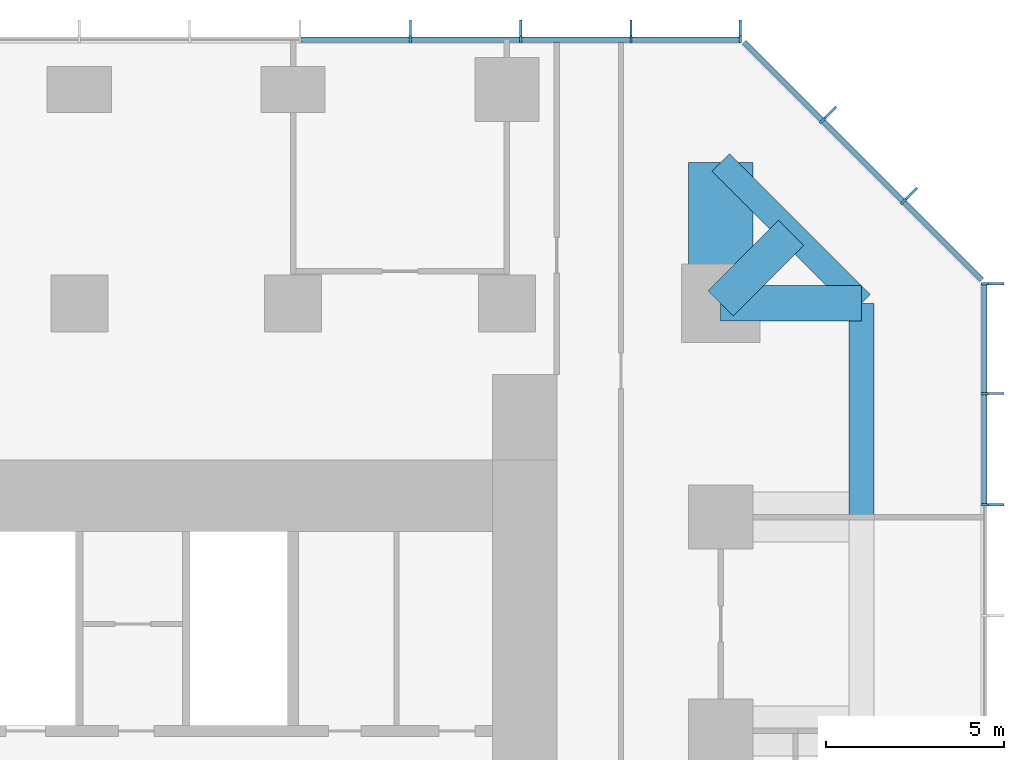
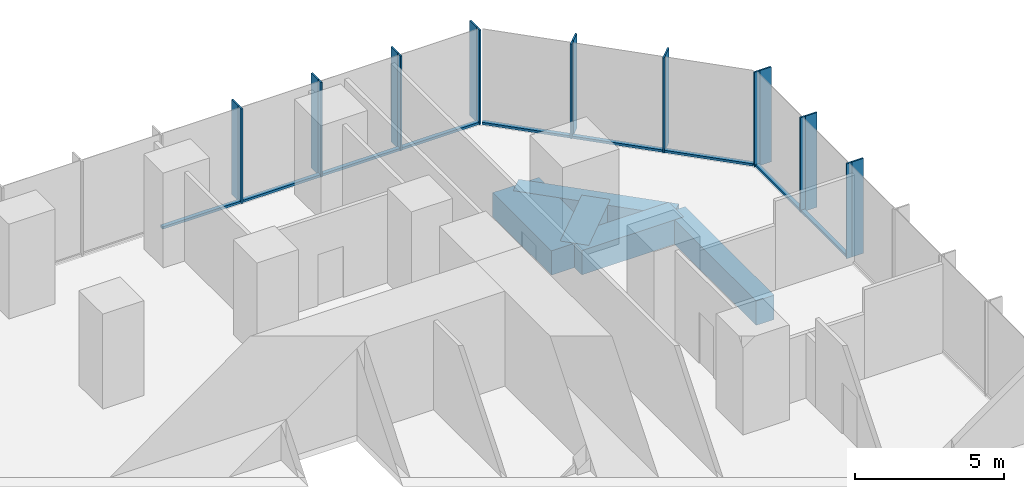
# One storey, part 6 of 11: 27 members, 5 beams, 3 elements without a shape of their own.
"""IFC4 building model written with IfcOpenShell, lengths in metres."""

from ifc_helpers import new_model, si_unit, direction, frame, origin, origin_2d, place, context, subcontext, project, spatial, rectangle, extrude, material, layer, layer_set, material_profile, profile_set, type_object, element, aggregate, save


model = new_model("IFC4")

# Units and contexts
model_context = context("Model", 3, precision=1e-05, world=origin(), true_north=direction((0.0, 1.0)))
body_context = subcontext(model_context, "Body", "Model", "MODEL_VIEW")
ifc_project = project(units=[si_unit("LENGTHUNIT", "METRE"), si_unit("AREAUNIT", "SQUARE_METRE"), si_unit("VOLUMEUNIT", "CUBIC_METRE"), si_unit("PLANEANGLEUNIT", "RADIAN"), si_unit("MASSUNIT", "GRAM", prefix="KILO")], contexts=[model_context])

# Site, building, storey
site_placement = place(None, origin())
site = spatial("IfcSite", under=ifc_project, at=site_placement, CompositionType="ELEMENT")
building_placement = place(site_placement, origin())
building = spatial("IfcBuilding", under=site, at=building_placement, Name="Highveld Stack Headquarters", CompositionType="ELEMENT")
storey_placement = place(building_placement, frame((0.0, 0.0, 152.300048828125)))
storey = spatial("IfcBuildingStorey", under=building, at=storey_placement, Name="L37", CompositionType="ELEMENT", Elevation=152.300048828125)

# Beams
ifc_material_1 = material(Name="Concrete C60/75", Category="concrete")
ifc_material_profile_1 = material_profile(ifc_material_1, rectangle(XDim=1.0, YDim=1.0, at=origin_2d()), Name="RC 1000x1000")
ifc_profile_set_1 = profile_set([ifc_material_profile_1], Name="Concrete C60/75")
beam_type_1 = type_object("IfcBeamType", Name="CANTILEVER RIB RC 1000x1000", PredefinedType="USERDEFINED", material=ifc_profile_set_1)
beam_1_placement = place(storey_placement, frame((24.0, 18.0, -0.75), z_axis=(1.0, 0.0, 0.0), x_axis=(0.0, 1.0, 0.0)))
element("IfcBeam", 1, at=beam_1_placement, inside=storey, type_object=beam_type_1, Name="Cantilever rib 10/H L37", ObjectType="CANTILEVER RIB", PredefinedType="USERDEFINED", context=body_context, shape_type="SweptSolid", body=[
    extrude(rectangle(XDim=1.0, YDim=1.0, at=origin_2d()), origin(), (0.0, 0.0, 1.0), 3.949951171875),
])
beam_2_placement = place(storey_placement, frame((24.0, 18.0, -0.75), z_axis=(0.707106781187, 0.707106781187, 0.0), x_axis=(-0.707106781187, 0.707106781187, 0.0)))
element("IfcBeam", 2, at=beam_2_placement, inside=storey, type_object=beam_type_1, Name="Cantilever rib 10/H L37", ObjectType="CANTILEVER RIB", PredefinedType="USERDEFINED", context=body_context, shape_type="SweptSolid", body=[
    extrude(rectangle(XDim=1.0, YDim=1.0, at=origin_2d()), origin(), (0.0, 0.0, 1.0), 2.793212890625),
])
ifc_material_2 = material(Name="Concrete C60/75", Category="concrete")
ifc_material_profile_2 = material_profile(ifc_material_2, rectangle(XDim=1.800048828125, YDim=1.0, at=origin_2d()), Name="RC 1800x1000")
ifc_profile_set_2 = profile_set([ifc_material_profile_2], Name="Concrete C60/75")
beam_type_2 = type_object("IfcBeamType", Name="CANTILEVER RIB RC 1800x1000", PredefinedType="USERDEFINED", material=ifc_profile_set_2)
beam_3_placement = place(storey_placement, frame((24.0, 18.0, -0.75), z_axis=(0.0, 1.0, 0.0), x_axis=(-1.0, 0.0, 0.0)))
element("IfcBeam", 3, at=beam_3_placement, inside=storey, type_object=beam_type_2, Name="Cantilever rib 10/H L37", ObjectType="CANTILEVER RIB", PredefinedType="USERDEFINED", context=body_context, shape_type="SweptSolid", body=[
    extrude(rectangle(XDim=1.800048828125, YDim=1.0, at=origin_2d()), origin(), (0.0, 0.0, 1.0), 3.949951171875),
])

# Curtain wall, members
ifc_material_3 = material(Name="Aluminium bronze anodised", Category="aluminium")
ifc_layer_1 = layer(ifc_material_3, 0.199951171875)
ifc_layer_set_1 = layer_set([ifc_layer_1], Name="Aluminium bronze anodised")
curtain_wall_type_1 = type_object("IfcCurtainWallType", Name="CW1 TOWER UNITISED CURTAIN WALL", PredefinedType="NOTDEFINED", material=ifc_layer_set_1)
curtain_wall_1_placement = place(storey_placement, origin())
curtain_wall_1 = element("IfcCurtainWall", 4, at=curtain_wall_1_placement, inside=storey, type_object=curtain_wall_type_1, Name="Curtain wall CW1 L37 E", PredefinedType="NOTDEFINED")
ifc_material_4 = material(Name="Aluminium bronze anodised", Category="aluminium")
ifc_material_profile_3 = material_profile(ifc_material_4, rectangle(XDim=0.449951171875, YDim=0.06005859375, at=origin_2d()), Name="FIN 450x60")
ifc_profile_set_3 = profile_set([ifc_material_profile_3], Name="Aluminium bronze anodised")
member_type_1 = type_object("IfcMemberType", Name="CW1 BRONZE FIN 450x60", PredefinedType="USERDEFINED", material=ifc_profile_set_3)
member_1_placement = place(storey_placement, frame((31.72509765625, 12.347900390625, 0.0), z_axis=(0.0, 0.0, 1.0), x_axis=(-1.0, 0.0, 0.0)))
member_1 = element("IfcMember", 5, at=member_1_placement, type_object=member_type_1, Name="CW1 fin L37 9", ObjectType="FIN", PredefinedType="USERDEFINED", context=body_context, shape_type="SweptSolid", body=[
    extrude(rectangle(XDim=0.449951171875, YDim=0.06005859375, at=origin_2d()), origin(), (0.0, 0.0, 1.0), 3.89990234375),
])
member_2_placement = place(storey_placement, frame((31.72509765625, 15.4638671875, 0.0), z_axis=(0.0, 0.0, 1.0), x_axis=(-1.0, 0.0, 0.0)))
member_2 = element("IfcMember", 6, at=member_2_placement, type_object=member_type_1, Name="CW1 fin L37 10", ObjectType="FIN", PredefinedType="USERDEFINED", context=body_context, shape_type="SweptSolid", body=[
    extrude(rectangle(XDim=0.449951171875, YDim=0.06005859375, at=origin_2d()), origin(), (0.0, 0.0, 1.0), 3.89990234375),
])
member_3_placement = place(storey_placement, frame((31.72509765625, 18.54736328125, 0.0), z_axis=(0.0, 0.0, 1.0), x_axis=(-1.0, 0.0, 0.0)))
member_3 = element("IfcMember", 7, at=member_3_placement, type_object=member_type_1, Name="CW1 fin L37 11", ObjectType="FIN", PredefinedType="USERDEFINED", context=body_context, shape_type="SweptSolid", body=[
    extrude(rectangle(XDim=0.449951171875, YDim=0.06005859375, at=origin_2d()), origin(), (0.0, 0.0, 1.0), 3.89990234375),
])

curtain_wall_2_placement = place(storey_placement, origin())
curtain_wall_2 = element("IfcCurtainWall", 8, at=curtain_wall_2_placement, inside=storey, type_object=curtain_wall_type_1, Name="Curtain wall CW1 L37 N", PredefinedType="NOTDEFINED")
member_4_placement = place(storey_placement, frame((24.54736328125, 25.72509765625, 0.0), z_axis=(0.0, 0.0, 1.0), x_axis=(0.0, -1.0, 0.0)))
member_4 = element("IfcMember", 9, at=member_4_placement, type_object=member_type_1, Name="CW1 fin L37 1", ObjectType="FIN", PredefinedType="USERDEFINED", context=body_context, shape_type="SweptSolid", body=[
    extrude(rectangle(XDim=0.449951171875, YDim=0.06005859375, at=origin_2d()), origin(), (0.0, 0.0, 1.0), 3.89990234375),
])
member_5_placement = place(storey_placement, frame((21.483154296875, 25.72509765625, 0.0), z_axis=(0.0, 0.0, 1.0), x_axis=(0.0, -1.0, 0.0)))
member_5 = element("IfcMember", 10, at=member_5_placement, type_object=member_type_1, Name="CW1 fin L37 2", ObjectType="FIN", PredefinedType="USERDEFINED", context=body_context, shape_type="SweptSolid", body=[
    extrude(rectangle(XDim=0.449951171875, YDim=0.06005859375, at=origin_2d()), origin(), (0.0, 0.0, 1.0), 3.89990234375),
])
member_6_placement = place(storey_placement, frame((18.38671875, 25.72509765625, 0.0), z_axis=(0.0, 0.0, 1.0), x_axis=(0.0, -1.0, 0.0)))
member_6 = element("IfcMember", 11, at=member_6_placement, type_object=member_type_1, Name="CW1 fin L37 3", ObjectType="FIN", PredefinedType="USERDEFINED", context=body_context, shape_type="SweptSolid", body=[
    extrude(rectangle(XDim=0.449951171875, YDim=0.06005859375, at=origin_2d()), origin(), (0.0, 0.0, 1.0), 3.89990234375),
])
member_7_placement = place(storey_placement, frame((15.289794921875, 25.72509765625, 0.0), z_axis=(0.0, 0.0, 1.0), x_axis=(0.0, -1.0, 0.0)))
member_7 = element("IfcMember", 12, at=member_7_placement, type_object=member_type_1, Name="CW1 fin L37 4", ObjectType="FIN", PredefinedType="USERDEFINED", context=body_context, shape_type="SweptSolid", body=[
    extrude(rectangle(XDim=0.449951171875, YDim=0.06005859375, at=origin_2d()), origin(), (0.0, 0.0, 1.0), 3.89990234375),
])

# Member
ifc_material_5 = material(Name="Aluminium bronze anodised", Category="aluminium")
ifc_material_profile_4 = material_profile(ifc_material_5, rectangle(XDim=0.199951171875, YDim=0.06494140625, at=origin_2d()), Name="CW1 MULLION 65x200")
ifc_profile_set_4 = profile_set([ifc_material_profile_4], Name="Aluminium bronze anodised")
member_type_2 = type_object("IfcMemberType", Name="CW1 MULLION 65x200", PredefinedType="MULLION", material=ifc_profile_set_4)
member_8_placement = place(storey_placement, frame((31.39990234375, 12.347900390625, 0.0), z_axis=(0.0, 0.0, 1.0), x_axis=(-1.0, 0.0, 0.0)))
member_8 = element("IfcMember", 13, at=member_8_placement, type_object=member_type_2, Name="CW1 mullion L37 9", PredefinedType="MULLION", context=body_context, shape_type="SweptSolid", body=[
    extrude(rectangle(XDim=0.199951171875, YDim=0.06494140625, at=origin_2d()), origin(), (0.0, 0.0, 1.0), 3.89990234375),
])

member_9_placement = place(storey_placement, frame((31.39990234375, 15.4638671875, 0.0), z_axis=(0.0, 0.0, 1.0), x_axis=(-1.0, 0.0, 0.0)))
member_9 = element("IfcMember", 14, at=member_9_placement, type_object=member_type_2, Name="CW1 mullion L37 10", PredefinedType="MULLION", context=body_context, shape_type="SweptSolid", body=[
    extrude(rectangle(XDim=0.199951171875, YDim=0.06494140625, at=origin_2d()), origin(), (0.0, 0.0, 1.0), 3.89990234375),
])

member_10_placement = place(storey_placement, frame((31.39990234375, 18.54736328125, 0.0), z_axis=(0.0, 0.0, 1.0), x_axis=(-1.0, 0.0, 0.0)))
member_10 = element("IfcMember", 15, at=member_10_placement, type_object=member_type_2, Name="CW1 mullion L37 11", PredefinedType="MULLION", context=body_context, shape_type="SweptSolid", body=[
    extrude(rectangle(XDim=0.199951171875, YDim=0.06494140625, at=origin_2d()), origin(), (0.0, 0.0, 1.0), 3.89990234375),
])

member_11_placement = place(storey_placement, frame((24.54736328125, 25.39990234375, 0.0), z_axis=(0.0, 0.0, 1.0), x_axis=(0.0, -1.0, 0.0)))
member_11 = element("IfcMember", 16, at=member_11_placement, type_object=member_type_2, Name="CW1 mullion L37 1", PredefinedType="MULLION", context=body_context, shape_type="SweptSolid", body=[
    extrude(rectangle(XDim=0.199951171875, YDim=0.06494140625, at=origin_2d()), origin(), (0.0, 0.0, 1.0), 3.89990234375),
])

member_12_placement = place(storey_placement, frame((21.483154296875, 25.39990234375, 0.0), z_axis=(0.0, 0.0, 1.0), x_axis=(0.0, -1.0, 0.0)))
member_12 = element("IfcMember", 17, at=member_12_placement, type_object=member_type_2, Name="CW1 mullion L37 2", PredefinedType="MULLION", context=body_context, shape_type="SweptSolid", body=[
    extrude(rectangle(XDim=0.199951171875, YDim=0.06494140625, at=origin_2d()), origin(), (0.0, 0.0, 1.0), 3.89990234375),
])

member_13_placement = place(storey_placement, frame((18.38671875, 25.39990234375, 0.0), z_axis=(0.0, 0.0, 1.0), x_axis=(0.0, -1.0, 0.0)))
member_13 = element("IfcMember", 18, at=member_13_placement, type_object=member_type_2, Name="CW1 mullion L37 3", PredefinedType="MULLION", context=body_context, shape_type="SweptSolid", body=[
    extrude(rectangle(XDim=0.199951171875, YDim=0.06494140625, at=origin_2d()), origin(), (0.0, 0.0, 1.0), 3.89990234375),
])

member_14_placement = place(storey_placement, frame((15.289794921875, 25.39990234375, 0.0), z_axis=(0.0, 0.0, 1.0), x_axis=(0.0, -1.0, 0.0)))
member_14 = element("IfcMember", 19, at=member_14_placement, type_object=member_type_2, Name="CW1 mullion L37 4", PredefinedType="MULLION", context=body_context, shape_type="SweptSolid", body=[
    extrude(rectangle(XDim=0.199951171875, YDim=0.06494140625, at=origin_2d()), origin(), (0.0, 0.0, 1.0), 3.89990234375),
])

ifc_material_6 = material(Name="Aluminium bronze anodised", Category="aluminium")
ifc_material_profile_5 = material_profile(ifc_material_6, rectangle(XDim=0.14990234375, YDim=0.10009765625, at=origin_2d()), Name="CW1 TRANSOM 150x100")
ifc_profile_set_5 = profile_set([ifc_material_profile_5], Name="Aluminium bronze anodised")
member_type_3 = type_object("IfcMemberType", Name="CW1 STACK TRANSOM 150x100", PredefinedType="USERDEFINED", material=ifc_profile_set_5)
member_15_placement = place(storey_placement, frame((31.39990234375, 12.38037109375, 0.050048828125), z_axis=(0.0, 1.0, 0.0), x_axis=(-1.0, 0.0, 0.0)))
member_15 = element("IfcMember", 20, at=member_15_placement, type_object=member_type_3, Name="CW1 transom L37 9.1", ObjectType="TRANSOM", PredefinedType="USERDEFINED", context=body_context, shape_type="SweptSolid", body=[
    extrude(rectangle(XDim=0.14990234375, YDim=0.10009765625, at=origin_2d()), origin(), (0.0, 0.0, 1.0), 3.051025390625),
])

member_16_placement = place(storey_placement, frame((31.39990234375, 15.496337890625, 0.050048828125), z_axis=(0.0, 1.0, 0.0), x_axis=(-1.0, 0.0, 0.0)))
member_16 = element("IfcMember", 21, at=member_16_placement, type_object=member_type_3, Name="CW1 transom L37 10.1", ObjectType="TRANSOM", PredefinedType="USERDEFINED", context=body_context, shape_type="SweptSolid", body=[
    extrude(rectangle(XDim=0.14990234375, YDim=0.10009765625, at=origin_2d()), origin(), (0.0, 0.0, 1.0), 3.0185546875),
])

aggregate(curtain_wall_1, [member_8, member_1, member_9, member_2, member_10, member_3, member_15, member_16])

member_17_placement = place(storey_placement, frame((24.514892578125, 25.39990234375, 0.050048828125), z_axis=(-1.0, 0.0, 0.0), x_axis=(0.0, -1.0, 0.0)))
member_17 = element("IfcMember", 22, at=member_17_placement, type_object=member_type_3, Name="CW1 transom L37 1.1", ObjectType="TRANSOM", PredefinedType="USERDEFINED", context=body_context, shape_type="SweptSolid", body=[
    extrude(rectangle(XDim=0.14990234375, YDim=0.10009765625, at=origin_2d()), origin(), (0.0, 0.0, 1.0), 2.999267578125),
])

member_18_placement = place(storey_placement, frame((21.45068359375, 25.39990234375, 0.050048828125), z_axis=(-1.0, 0.0, 0.0), x_axis=(0.0, -1.0, 0.0)))
member_18 = element("IfcMember", 23, at=member_18_placement, type_object=member_type_3, Name="CW1 transom L37 2.1", ObjectType="TRANSOM", PredefinedType="USERDEFINED", context=body_context, shape_type="SweptSolid", body=[
    extrude(rectangle(XDim=0.14990234375, YDim=0.10009765625, at=origin_2d()), origin(), (0.0, 0.0, 1.0), 3.031494140625),
])

member_19_placement = place(storey_placement, frame((18.35400390625, 25.39990234375, 0.050048828125), z_axis=(-1.0, 0.0, 0.0), x_axis=(0.0, -1.0, 0.0)))
member_19 = element("IfcMember", 24, at=member_19_placement, type_object=member_type_3, Name="CW1 transom L37 3.1", ObjectType="TRANSOM", PredefinedType="USERDEFINED", context=body_context, shape_type="SweptSolid", body=[
    extrude(rectangle(XDim=0.14990234375, YDim=0.10009765625, at=origin_2d()), origin(), (0.0, 0.0, 1.0), 3.031494140625),
])

member_20_placement = place(storey_placement, frame((15.25732421875, 25.39990234375, 0.050048828125), z_axis=(-1.0, 0.0, 0.0), x_axis=(0.0, -1.0, 0.0)))
member_20 = element("IfcMember", 25, at=member_20_placement, type_object=member_type_3, Name="CW1 transom L37 4.1", ObjectType="TRANSOM", PredefinedType="USERDEFINED", context=body_context, shape_type="SweptSolid", body=[
    extrude(rectangle(XDim=0.14990234375, YDim=0.10009765625, at=origin_2d()), origin(), (0.0, 0.0, 1.0), 3.031494140625),
])

aggregate(curtain_wall_2, [member_11, member_4, member_12, member_5, member_13, member_6, member_14, member_7, member_17, member_18, member_19, member_20])

# Curtain wall, members
ifc_material_7 = material(Name="Aluminium bronze anodised", Category="aluminium")
ifc_layer_2 = layer(ifc_material_7, 0.199951171875)
ifc_layer_set_2 = layer_set([ifc_layer_2], Name="Aluminium bronze anodised")
curtain_wall_type_2 = type_object("IfcCurtainWallType", Name="CW2 TOWER CHAMFER UNITISED CURTAIN WALL", PredefinedType="NOTDEFINED", material=ifc_layer_set_2)
curtain_wall_3_placement = place(storey_placement, origin())
curtain_wall_3 = element("IfcCurtainWall", 26, at=curtain_wall_3_placement, inside=storey, type_object=curtain_wall_type_2, Name="Curtain wall CW2 L37 NE", PredefinedType="NOTDEFINED")
ifc_material_8 = material(Name="Aluminium bronze anodised", Category="aluminium")
ifc_material_profile_6 = material_profile(ifc_material_8, rectangle(XDim=0.449951171875, YDim=0.06005859375, at=origin_2d()), Name="FIN 450x60")
ifc_profile_set_6 = profile_set([ifc_material_profile_6], Name="Aluminium bronze anodised")
member_type_4 = type_object("IfcMemberType", Name="CW2 BRONZE FIN 450x60", PredefinedType="USERDEFINED", material=ifc_profile_set_6)
member_21_placement = place(storey_placement, frame((29.3564453125, 21.0830078125, 0.0), z_axis=(0.0, 0.0, 1.0), x_axis=(-0.707106781187, -0.707106781187, 0.0)))
member_21 = element("IfcMember", 27, at=member_21_placement, type_object=member_type_4, Name="CW2 fin L37 1", ObjectType="FIN", PredefinedType="USERDEFINED", context=body_context, shape_type="SweptSolid", body=[
    extrude(rectangle(XDim=0.449951171875, YDim=0.06005859375, at=origin_2d()), origin(), (0.0, 0.0, 1.0), 3.89990234375),
])
member_22_placement = place(storey_placement, frame((27.0830078125, 23.3564453125, 0.0), z_axis=(0.0, 0.0, 1.0), x_axis=(-0.707106781187, -0.707106781187, 0.0)))
member_22 = element("IfcMember", 28, at=member_22_placement, type_object=member_type_4, Name="CW2 fin L37 2", ObjectType="FIN", PredefinedType="USERDEFINED", context=body_context, shape_type="SweptSolid", body=[
    extrude(rectangle(XDim=0.449951171875, YDim=0.06005859375, at=origin_2d()), origin(), (0.0, 0.0, 1.0), 3.89990234375),
])
ifc_material_9 = material(Name="Aluminium bronze anodised", Category="aluminium")
ifc_material_profile_7 = material_profile(ifc_material_9, rectangle(XDim=0.199951171875, YDim=0.06494140625, at=origin_2d()), Name="CW2 MULLION 65x200")
ifc_profile_set_7 = profile_set([ifc_material_profile_7], Name="Aluminium bronze anodised")
member_type_5 = type_object("IfcMemberType", Name="CW2 MULLION 65x200", PredefinedType="MULLION", material=ifc_profile_set_7)
member_23_placement = place(storey_placement, frame((29.126708984375, 20.853271484375, 0.0), z_axis=(0.0, 0.0, 1.0), x_axis=(-0.707106781187, -0.707106781187, 0.0)))
member_23 = element("IfcMember", 29, at=member_23_placement, type_object=member_type_5, Name="CW2 mullion L37 1", PredefinedType="MULLION", context=body_context, shape_type="SweptSolid", body=[
    extrude(rectangle(XDim=0.199951171875, YDim=0.06494140625, at=origin_2d()), origin(), (0.0, 0.0, 1.0), 3.89990234375),
])
member_24_placement = place(storey_placement, frame((26.853271484375, 23.126708984375, 0.0), z_axis=(0.0, 0.0, 1.0), x_axis=(-0.707106781187, -0.707106781187, 0.0)))
member_24 = element("IfcMember", 30, at=member_24_placement, type_object=member_type_5, Name="CW2 mullion L37 2", PredefinedType="MULLION", context=body_context, shape_type="SweptSolid", body=[
    extrude(rectangle(XDim=0.199951171875, YDim=0.06494140625, at=origin_2d()), origin(), (0.0, 0.0, 1.0), 3.89990234375),
])
ifc_material_10 = material(Name="Aluminium bronze anodised", Category="aluminium")
ifc_material_profile_8 = material_profile(ifc_material_10, rectangle(XDim=0.14990234375, YDim=0.10009765625, at=origin_2d()), Name="CW2 TRANSOM 150x100")
ifc_profile_set_8 = profile_set([ifc_material_profile_8], Name="Aluminium bronze anodised")
member_type_6 = type_object("IfcMemberType", Name="CW2 STACK TRANSOM 150x100", PredefinedType="USERDEFINED", material=ifc_profile_set_8)
member_25_placement = place(storey_placement, frame((31.329345703125, 18.650634765625, 0.050048828125), z_axis=(-0.707106781187, 0.707106781187, 0.0), x_axis=(-0.707106781187, -0.707106781187, 0.0)))
member_25 = element("IfcMember", 31, at=member_25_placement, type_object=member_type_6, Name="CW2 transom L37 1.1", ObjectType="TRANSOM", PredefinedType="USERDEFINED", context=body_context, shape_type="SweptSolid", body=[
    extrude(rectangle(XDim=0.14990234375, YDim=0.10009765625, at=origin_2d()), origin(), (0.0, 0.0, 1.0), 3.08251953125),
])
member_26_placement = place(storey_placement, frame((29.103759765625, 20.876220703125, 0.050048828125), z_axis=(-0.707106781187, 0.707106781187, 0.0), x_axis=(-0.707106781187, -0.707106781187, 0.0)))
member_26 = element("IfcMember", 32, at=member_26_placement, type_object=member_type_6, Name="CW2 transom L37 2.1", ObjectType="TRANSOM", PredefinedType="USERDEFINED", context=body_context, shape_type="SweptSolid", body=[
    extrude(rectangle(XDim=0.14990234375, YDim=0.10009765625, at=origin_2d()), origin(), (0.0, 0.0, 1.0), 3.150146484375),
])
member_27_placement = place(storey_placement, frame((26.830322265625, 23.149658203125, 0.050048828125), z_axis=(-0.707106781187, 0.707106781187, 0.0), x_axis=(-0.707106781187, -0.707106781187, 0.0)))
member_27 = element("IfcMember", 33, at=member_27_placement, type_object=member_type_6, Name="CW2 transom L37 3.1", ObjectType="TRANSOM", PredefinedType="USERDEFINED", context=body_context, shape_type="SweptSolid", body=[
    extrude(rectangle(XDim=0.14990234375, YDim=0.10009765625, at=origin_2d()), origin(), (0.0, 0.0, 1.0), 3.08251953125),
])
aggregate(curtain_wall_3, [member_23, member_21, member_24, member_22, member_25, member_26, member_27])

# Beams
ifc_material_11 = material(Name="Concrete C60/75", Category="concrete")
ifc_material_profile_9 = material_profile(ifc_material_11, rectangle(XDim=0.699951171875, YDim=1.0, at=origin_2d()), Name="RC 700x1000")
ifc_profile_set_9 = profile_set([ifc_material_profile_9], Name="Concrete C60/75")
beam_type_3 = type_object("IfcBeamType", Name="RIB TIP BEAM RC 700x1000", PredefinedType="SPANDREL", material=ifc_profile_set_9)
beam_4_placement = place(storey_placement, frame((27.949951171875, 12.0, -0.75), z_axis=(0.0, 1.0, 0.0), x_axis=(-1.0, 0.0, 0.0)))
element("IfcBeam", 34, at=beam_4_placement, inside=storey, type_object=beam_type_3, Name="Rib tip beam 10/G to 10/H L37", PredefinedType="SPANDREL", context=body_context, shape_type="SweptSolid", body=[
    extrude(rectangle(XDim=0.699951171875, YDim=1.0, at=origin_2d()), origin(), (0.0, 0.0, 1.0), 6.0),
])
beam_5_placement = place(storey_placement, frame((27.949951171875, 18.0, -0.75), z_axis=(-0.707106781187, 0.707106781187, 0.0), x_axis=(-0.707106781187, -0.707106781187, 0.0)))
element("IfcBeam", 35, at=beam_5_placement, inside=storey, type_object=beam_type_3, Name="Rib tip beam 10/H corner L37", PredefinedType="SPANDREL", context=body_context, shape_type="SweptSolid", body=[
    extrude(rectangle(XDim=0.699951171875, YDim=1.0, at=origin_2d()), origin(), (0.0, 0.0, 1.0), 5.586181640625),
])

save(model, "model.ifc")
